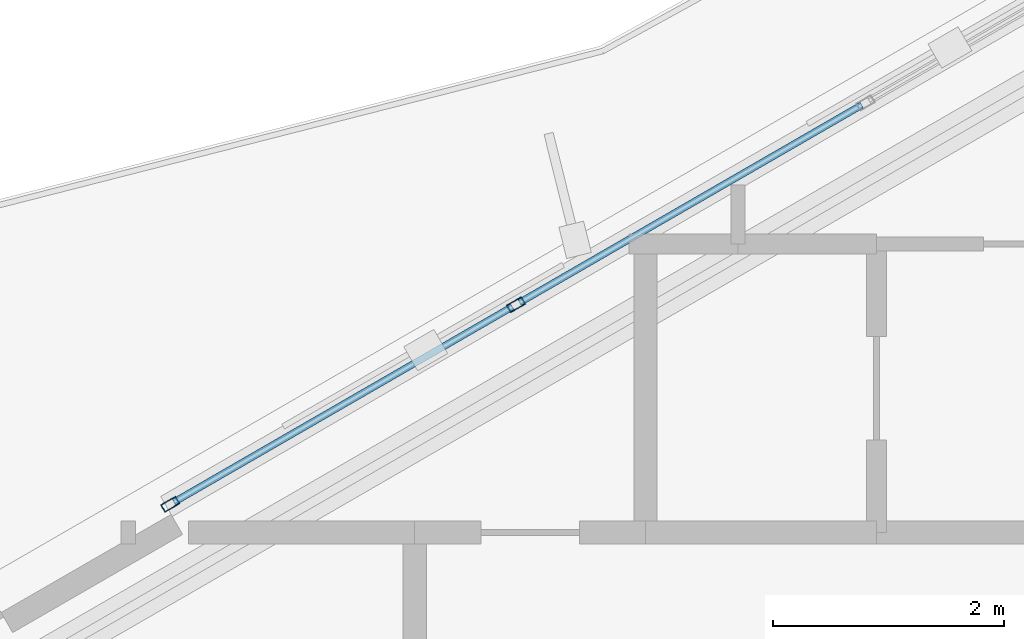
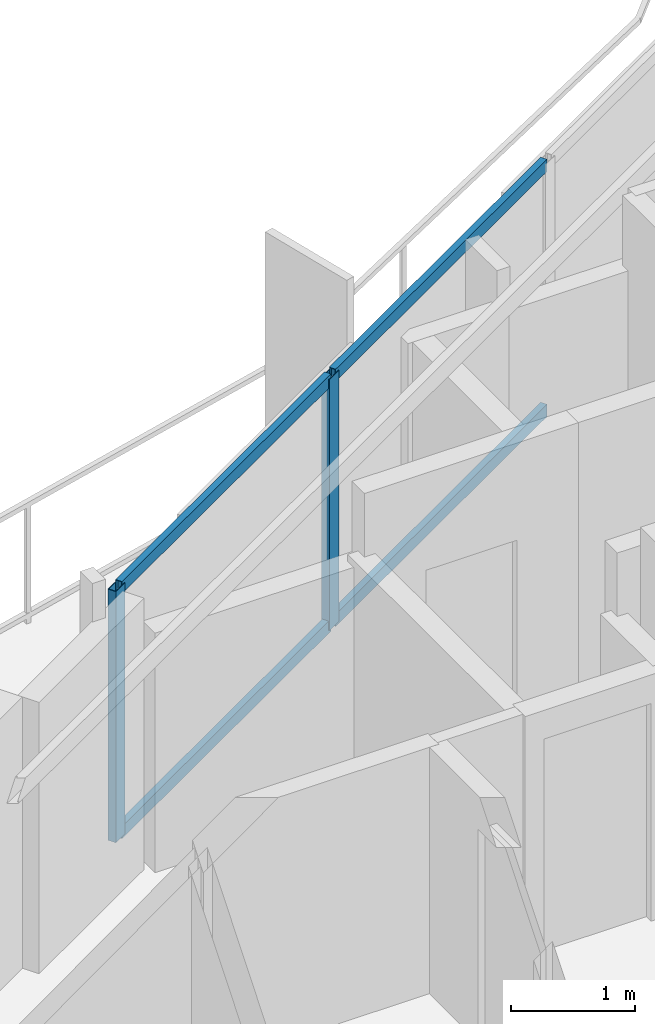
# One storey, part 5 of 19: 6 members, 1 element without a shape of its own.
"""IFC4 building model written with IfcOpenShell, lengths in metres."""

from ifc_helpers import new_model, si_unit, direction, frame, origin, origin_2d, place, context, subcontext, project, spatial, hollow_rectangle, extrude, material, layer, layer_set, material_profile, profile_set, type_object, element, aggregate, save


model = new_model("IFC4")

# Units and contexts
model_context = context("Model", 3, precision=1e-05, world=origin(), true_north=direction((0.0, 1.0)))
body_context = subcontext(model_context, "Body", "Model", "MODEL_VIEW")
ifc_project = project(units=[si_unit("LENGTHUNIT", "METRE"), si_unit("AREAUNIT", "SQUARE_METRE"), si_unit("VOLUMEUNIT", "CUBIC_METRE"), si_unit("PLANEANGLEUNIT", "RADIAN"), si_unit("MASSUNIT", "GRAM", prefix="KILO")], contexts=[model_context])

# Site, building, storey
site_placement = place(None, origin())
site = spatial("IfcSite", under=ifc_project, at=site_placement, CompositionType="ELEMENT")
building_placement = place(site_placement, origin())
building = spatial("IfcBuilding", under=site, at=building_placement, Name="Mersakhor Tower and Convention Hall", CompositionType="ELEMENT")
storey_placement = place(building_placement, frame((0.0, 0.0, 131.10009765625)))
storey = spatial("IfcBuildingStorey", under=building, at=storey_placement, Name="L36", CompositionType="ELEMENT", Elevation=131.10009765625)

# Curtain wall, members
ifc_material_1 = material(Name="Dark solar low-E aluminium curtain wall", Category="aluminium")
ifc_layer = layer(ifc_material_1, 0.169921875)
ifc_layer_set = layer_set([ifc_layer], Name="Dark solar low-E aluminium curtain wall")
curtain_wall_type = type_object("IfcCurtainWallType", Name="CW-SYS-02", PredefinedType="USERDEFINED", material=ifc_layer_set)
curtain_wall_placement = place(storey_placement, origin())
curtain_wall = element("IfcCurtainWall", 1, at=curtain_wall_placement, inside=storey, type_object=curtain_wall_type, Name="L36 Dark-Glass Curtain Wall F1-B2", ObjectType="CURTAIN WALL", PredefinedType="USERDEFINED")
ifc_material_2 = material(Name="Anodised aluminium EN AW-6063 T6", Category="aluminium")
ifc_material_profile_1 = material_profile(ifc_material_2, hollow_rectangle(XDim=0.074951171875, YDim=0.14990234375, WallThickness=0.00634765625, at=origin_2d()), Name="RHS 150x75x6.3")
ifc_profile_set_1 = profile_set([ifc_material_profile_1], Name="Anodised aluminium EN AW-6063 T6")
member_type_1 = type_object("IfcMemberType", Name="CWM-150x75", PredefinedType="MULLION", material=ifc_profile_set_1)
member_1_placement = place(storey_placement, frame((17.88232421875, 35.595458984375, 0.199951171875), z_axis=(0.0, 0.0, 1.0), x_axis=(-0.499990468363, 0.866030906807, 0.0)))
member_1 = element("IfcMember", 2, at=member_1_placement, type_object=member_type_1, Name="CW-02 mullion 1", PredefinedType="MULLION", context=body_context, shape_type="SweptSolid", body=[
    extrude(hollow_rectangle(XDim=0.074951171875, YDim=0.14990234375, WallThickness=0.00634765625, at=origin_2d()), origin(), (0.0, 0.0, 1.0), 2.47998046875),
])
member_2_placement = place(storey_placement, frame((20.876953125, 37.32421875, 0.199951171875), z_axis=(0.0, 0.0, 1.0), x_axis=(-0.499990468363, 0.866030906807, 0.0)))
member_2 = element("IfcMember", 3, at=member_2_placement, type_object=member_type_1, Name="CW-02 mullion 2", PredefinedType="MULLION", context=body_context, shape_type="SweptSolid", body=[
    extrude(hollow_rectangle(XDim=0.074951171875, YDim=0.14990234375, WallThickness=0.00634765625, at=origin_2d()), origin(), (0.0, 0.0, 1.0), 2.47998046875),
])
ifc_material_3 = material(Name="Anodised aluminium EN AW-6063 T6", Category="aluminium")
ifc_material_profile_2 = material_profile(ifc_material_3, hollow_rectangle(XDim=0.06005859375, YDim=0.1201171875, WallThickness=0.0048828125, at=origin_2d()), Name="RHS 120x60x5")
ifc_profile_set_2 = profile_set([ifc_material_profile_2], Name="Anodised aluminium EN AW-6063 T6")
member_type_2 = type_object("IfcMemberType", Name="CWT-120x60", PredefinedType="USERDEFINED", material=ifc_profile_set_2)
member_3_placement = place(storey_placement, frame((17.914794921875, 35.6142578125, 0.22998046875), z_axis=(0.866031754707, 0.499988999718, 0.0), x_axis=(-0.499988999718, 0.866031754707, 0.0)))
member_3 = element("IfcMember", 4, at=member_3_placement, type_object=member_type_2, Name="CW-02 transom 1.1", ObjectType="TRANSOM", PredefinedType="USERDEFINED", context=body_context, shape_type="SweptSolid", body=[
    extrude(hollow_rectangle(XDim=0.06005859375, YDim=0.1201171875, WallThickness=0.0048828125, at=origin_2d()), origin(), (0.0, 0.0, 1.0), 3.3828125),
])
member_4_placement = place(storey_placement, frame((17.914794921875, 35.6142578125, 2.64990234375), z_axis=(0.866031754707, 0.499988999718, 0.0), x_axis=(-0.499988999718, 0.866031754707, 0.0)))
member_4 = element("IfcMember", 5, at=member_4_placement, type_object=member_type_2, Name="CW-02 transom 1.2", ObjectType="TRANSOM", PredefinedType="USERDEFINED", context=body_context, shape_type="SweptSolid", body=[
    extrude(hollow_rectangle(XDim=0.06005859375, YDim=0.1201171875, WallThickness=0.0048828125, at=origin_2d()), origin(), (0.0, 0.0, 1.0), 3.3828125),
])
member_5_placement = place(storey_placement, frame((20.909423828125, 37.343017578125, 0.22998046875), z_axis=(0.866007273829, 0.50003140069, 0.0), x_axis=(-0.50003140069, 0.866007273829, 0.0)))
member_5 = element("IfcMember", 6, at=member_5_placement, type_object=member_type_2, Name="CW-02 transom 2.1", ObjectType="TRANSOM", PredefinedType="USERDEFINED", context=body_context, shape_type="SweptSolid", body=[
    extrude(hollow_rectangle(XDim=0.06005859375, YDim=0.1201171875, WallThickness=0.0048828125, at=origin_2d()), origin(), (0.0, 0.0, 1.0), 3.420166015625),
])
member_6_placement = place(storey_placement, frame((20.909423828125, 37.343017578125, 2.64990234375), z_axis=(0.866007273829, 0.50003140069, 0.0), x_axis=(-0.50003140069, 0.866007273829, 0.0)))
member_6 = element("IfcMember", 7, at=member_6_placement, type_object=member_type_2, Name="CW-02 transom 2.2", ObjectType="TRANSOM", PredefinedType="USERDEFINED", context=body_context, shape_type="SweptSolid", body=[
    extrude(hollow_rectangle(XDim=0.06005859375, YDim=0.1201171875, WallThickness=0.0048828125, at=origin_2d()), origin(), (0.0, 0.0, 1.0), 3.420166015625),
])
aggregate(curtain_wall, [member_1, member_2, member_3, member_4, member_5, member_6])

save(model, "model.ifc")
